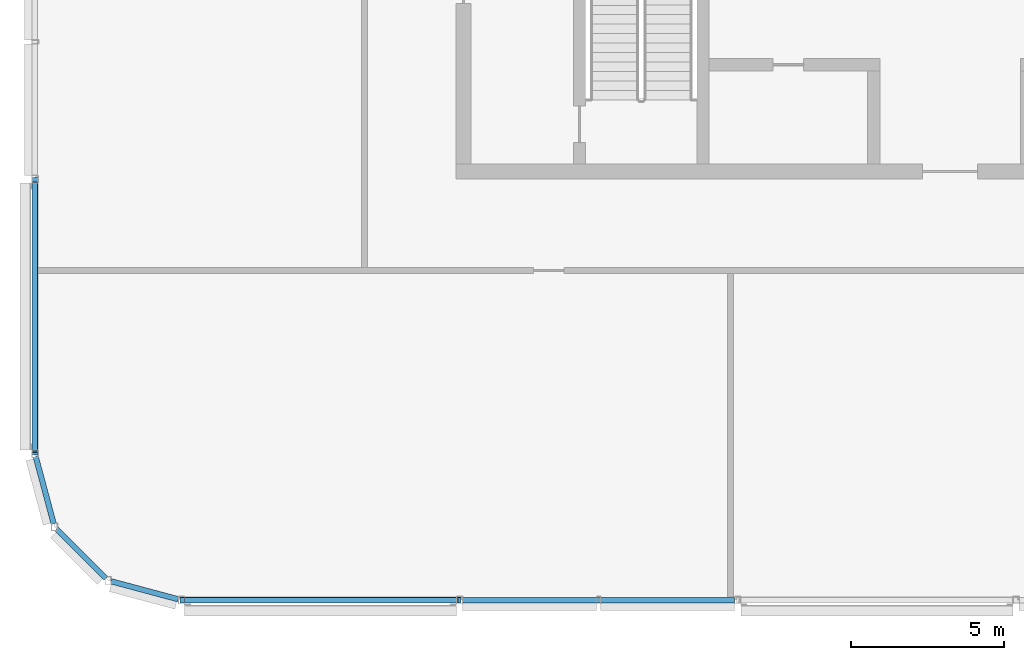
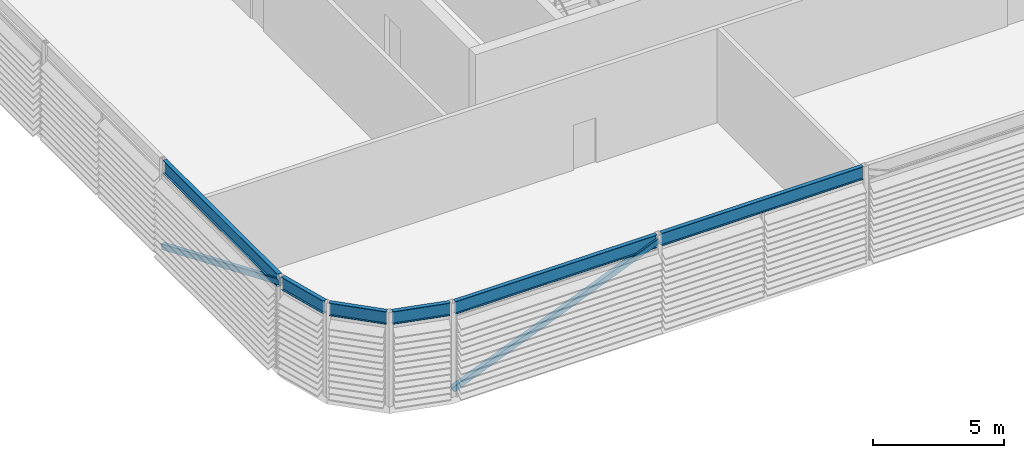
# One storey, part 5 of 27: 6 beams, 2 members.
"""IFC4 building model written with IfcOpenShell, lengths in metres."""

import ifcopenshell
import ifcopenshell.guid

model = None  # the IFC model being written
_history = None  # IfcOwnerHistory: only IFC2X3 demands one
_inside = {}  # id of a spatial element -> (the spatial element, [elements in it])
_under = {}  # id of a project, library or spatial element -> (it, [spatial elements below it])
_declared = {}  # id of a project -> (the project, [libraries it declares])
_typed = {}  # id of a type object -> (the type object, [elements of that type])
_made_of = {}  # id of a material, layer set ... -> (it, [elements and type objects made of it])


def new_model(schema):
    """Start an empty IFC model of exactly this schema.

    Asked for "IFC4X3", IfcOpenShell would pick the latest addendum, in which some entities
    have other attributes; the version numbers below select the first issue.
    IFC2X3 requires an IfcOwnerHistory on every rooted entity: one is made here for all.
    """
    global model, _history
    if schema == "IFC4X3":
        model = ifcopenshell.file(schema_version=(4, 3, 0, 0))
    else:
        model = ifcopenshell.file(schema=schema)
    _inside.clear()
    _under.clear()
    _declared.clear()
    _typed.clear()
    _made_of.clear()
    _history = None
    if model.schema == "IFC2X3":
        org = make("IfcOrganization", Name="unknown")
        user = make(
            "IfcPersonAndOrganization",
            ThePerson=make("IfcPerson", FamilyName="unknown"),
            TheOrganization=org,
        )
        app = make(
            "IfcApplication",
            ApplicationDeveloper=org,
            Version="unknown",
            ApplicationFullName="unknown",
            ApplicationIdentifier="unknown",
        )
        _history = make(
            "IfcOwnerHistory",
            OwningUser=user,
            OwningApplication=app,
            ChangeAction="ADDED",
            CreationDate=0,
        )
    return model


def make(cls, **values):
    """One entity of the class cls with the attributes given. An attribute that is None is left unset."""
    return model.create_entity(
        cls, **{name: value for name, value in values.items() if value is not None}
    )


def rooted(cls, **values):
    """An entity with a GlobalId (a new one), such as an element, a storey or a relation."""
    return make(cls, GlobalId=ifcopenshell.guid.new(), OwnerHistory=_history, **values)


def si_unit(unit_type, name, prefix=None):
    """IfcSIUnit, for example si_unit("LENGTHUNIT", "METRE", prefix="MILLI")."""
    return make("IfcSIUnit", UnitType=unit_type, Prefix=prefix, Name=name)


def assignment(units):
    """IfcUnitAssignment: the units of a project."""
    return None if units is None else make("IfcUnitAssignment", Units=units)


def point(xyz):
    """IfcCartesianPoint."""
    return None if xyz is None else make("IfcCartesianPoint", Coordinates=xyz)


def direction(xyz):
    """IfcDirection."""
    return None if xyz is None else make("IfcDirection", DirectionRatios=xyz)


def frame(location, z_axis=None, x_axis=None):
    """IfcAxis2Placement3D, a coordinate frame: its origin and axes. An axis left out is left unset."""
    return make(
        "IfcAxis2Placement3D",
        Location=point(location),
        Axis=direction(z_axis),
        RefDirection=direction(x_axis),
    )


def frame_2d(location, x_axis=None):
    """IfcAxis2Placement2D, a coordinate frame in the plane: its origin and x axis."""
    return make(
        "IfcAxis2Placement2D", Location=point(location), RefDirection=direction(x_axis)
    )


def origin():
    """The frame at (0, 0, 0) with its axes left unset."""
    return frame((0.0, 0.0, 0.0))


def origin_2d():
    """The frame at (0, 0) in the plane with its x axis left unset."""
    return frame_2d((0.0, 0.0))


def place(relative_to, where):
    """IfcLocalPlacement: puts the frame where relative to a parent placement (None: the world)."""
    return make(
        "IfcLocalPlacement", PlacementRelTo=relative_to, RelativePlacement=where
    )


def context(
    kind, dimensions, precision=None, world=None, true_north=None, identifier=None
):
    """IfcGeometricRepresentationContext, for example the 3D "Model" context."""
    return make(
        "IfcGeometricRepresentationContext",
        ContextIdentifier=identifier,
        ContextType=kind,
        CoordinateSpaceDimension=dimensions,
        Precision=precision,
        WorldCoordinateSystem=world,
        TrueNorth=true_north,
    )


def subcontext(parent, identifier, kind, view, scale=None):
    """IfcGeometricRepresentationSubContext, for example "Body" below "Model"."""
    return make(
        "IfcGeometricRepresentationSubContext",
        ContextIdentifier=identifier,
        ContextType=kind,
        ParentContext=parent,
        TargetScale=scale,
        TargetView=view,
    )


def project(units=None, contexts=None):
    """IfcProject with its units and contexts."""
    return rooted(
        "IfcProject",
        Name="project",
        RepresentationContexts=contexts,
        UnitsInContext=assignment(units),
    )


def spatial(cls, under=None, at=None, **own):
    """A site, building, storey or space (cls), placed at a placement, below another one or the project."""
    s = rooted(cls, ObjectPlacement=at, **own)
    if under is not None:
        _under.setdefault(under.id(), (under, []))[1].append(s)
    return s


def profile(cls, at=None, kind="AREA", **sizes):
    """A parametric profile (cls). Its sizes go by their IFC names, for example OverallWidth=200.0."""
    return make(cls, ProfileType=kind, Position=at, **sizes)


def hollow_rectangle(**sizes):
    """IfcRectangleHollowProfileDef."""
    return profile("IfcRectangleHollowProfileDef", **sizes)


def i_section(**sizes):
    """IfcIShapeProfileDef."""
    return profile("IfcIShapeProfileDef", **sizes)


def extrude(swept, where, along, depth):
    """IfcExtrudedAreaSolid: the profile swept, set in the frame where, extruded along a direction by depth."""
    return make(
        "IfcExtrudedAreaSolid",
        SweptArea=swept,
        Position=where,
        ExtrudedDirection=direction(along),
        Depth=depth,
    )


def shape(context_of_items, identifier, shape_type, items):
    """IfcShapeRepresentation: the items that make up one representation, for example the "Body"."""
    return make(
        "IfcShapeRepresentation",
        ContextOfItems=context_of_items,
        RepresentationIdentifier=identifier,
        RepresentationType=shape_type,
        Items=items,
    )


def material(Name=None, Category=None):
    """IfcMaterial."""
    return make("IfcMaterial", Name=Name, Category=Category)


def material_profile(
    of_material, cross_section, Name=None, Category=None, Priority=None
):
    """IfcMaterialProfile: a cross section and its material."""
    return make(
        "IfcMaterialProfile",
        Name=Name,
        Material=of_material,
        Profile=cross_section,
        Priority=Priority,
        Category=Category,
    )


def profile_set(profiles, Name=None, composite=None):
    """IfcMaterialProfileSet."""
    return make(
        "IfcMaterialProfileSet",
        Name=Name,
        MaterialProfiles=profiles,
        CompositeProfile=composite,
    )


def made_of(thing, what):
    """Note that an element or type object is made of a material, layer set ...; save() writes the relation."""
    if what is not None:
        _made_of.setdefault(what.id(), (what, []))[1].append(thing)
    return thing


def type_object(cls, material=None, **own):
    """A type object (cls), such as IfcWallType, which elements share."""
    return made_of(rooted(cls, **own), material)


def element(
    cls,
    number,
    at=None,
    inside=None,
    cuts=None,
    type_object=None,
    material=None,
    context=None,
    identifier="Body",
    shape_type=None,
    held_by="IfcProductDefinitionShape",
    body=None,
    shapes=None,
    **own,
):
    """One element of the class cls, such as IfcWall. Its Tag is "e" and its number.

    at: its placement. inside: the storey or other place that contains it. cuts: it is an
    opening in that element (IfcRelVoidsElement). A single representation is given by context,
    identifier, shape_type and body (its items); several are given by shapes. held_by: the class
    of the entity that holds the representations. save() writes the other relations.
    """
    e = rooted(cls, Tag="e%d" % number, ObjectPlacement=at, **own)
    if body is not None:
        shapes = [shape(context, identifier, shape_type, body)]
    if shapes is not None:
        e.Representation = make(held_by, Representations=shapes)
    if inside is not None:
        _inside.setdefault(inside.id(), (inside, []))[1].append(e)
    if cuts is not None:
        rooted(
            "IfcRelVoidsElement", RelatingBuildingElement=cuts, RelatedOpeningElement=e
        )
    if type_object is not None:
        _typed.setdefault(type_object.id(), (type_object, []))[1].append(e)
    return made_of(e, material)


def aggregate(whole, parts):
    """IfcRelAggregates: a whole, such as a stair, and the parts it consists of."""
    return rooted("IfcRelAggregates", RelatingObject=whole, RelatedObjects=parts)


def save(model, path):
    """Write the relations noted so far, then the file.

    IfcRelAggregates (storeys below a building ...), IfcRelContainedInSpatialStructure (elements
    in a storey), IfcRelDefinesByType, IfcRelAssociatesMaterial and IfcRelDeclares: one each for
    every whole, place, type object, material and project.
    """
    for whole, parts in _under.values():
        aggregate(whole, parts)
    for where, things in _inside.values():
        rooted(
            "IfcRelContainedInSpatialStructure",
            RelatedElements=things,
            RelatingStructure=where,
        )
    for kind, things in _typed.values():
        rooted("IfcRelDefinesByType", RelatedObjects=things, RelatingType=kind)
    for what, things in _made_of.values():
        rooted("IfcRelAssociatesMaterial", RelatedObjects=things, RelatingMaterial=what)
    for by, libraries in _declared.values():
        rooted("IfcRelDeclares", RelatingContext=by, RelatedDefinitions=libraries)
    model.write(path)


model = new_model("IFC4")

# Units and contexts
model_context = context("Model", 3, precision=1e-05, world=origin(), true_north=direction((0.0, 1.0)))
body_context = subcontext(model_context, "Body", "Model", "MODEL_VIEW")
ifc_project = project(units=[si_unit("LENGTHUNIT", "METRE"), si_unit("AREAUNIT", "SQUARE_METRE"), si_unit("VOLUMEUNIT", "CUBIC_METRE"), si_unit("PLANEANGLEUNIT", "RADIAN"), si_unit("MASSUNIT", "GRAM", prefix="KILO")], contexts=[model_context])

# Site, building, storey
site_placement = place(None, origin())
site = spatial("IfcSite", under=ifc_project, at=site_placement, CompositionType="ELEMENT")
building_placement = place(site_placement, origin())
building = spatial("IfcBuilding", under=site, at=building_placement, Name="Madar Terraces", CompositionType="ELEMENT")
storey_placement = place(building_placement, frame((0.0, 0.0, 301.10009765625)))
storey = spatial("IfcBuildingStorey", under=building, at=storey_placement, Name="L78", CompositionType="ELEMENT", Elevation=301.10009765625)

# Beams
ifc_material_1 = material(Name="Steel ASTM A992 Grade 50", Category="steel")
ifc_material_profile_1 = material_profile(ifc_material_1, i_section(OverallWidth=0.1787109375, OverallDepth=0.60205078125, WebThickness=0.010986328125, FlangeThickness=0.014892578125, at=origin_2d()), Name="W24x62")
ifc_profile_set_1 = profile_set([ifc_material_profile_1], Name="Steel ASTM A992 Grade 50")
beam_type = type_object("IfcBeamType", Name="CF2 W24x62", PredefinedType="BEAM", material=ifc_profile_set_1)
for number, where, z_axis, x_axis, name in (
    (1, (6.1015625, 1.199951171875, 4.098876953125), (1.0, 0.0, 0.0), (0.0, 1.0, 0.0), "Crown frame ring beam CF2"),
    (2, (15.2216796875, 1.199951171875, 4.098876953125), (1.0, 0.0, 0.0), (0.0, 1.0, 0.0), "Crown frame ring beam CF2"),
):
    element("IfcBeam", number, at=place(storey_placement, frame(where, z_axis=z_axis, x_axis=x_axis)), inside=storey, type_object=beam_type, Name=name, PredefinedType="BEAM", context=body_context, shape_type="SweptSolid", body=[
        extrude(i_section(OverallWidth=0.1787109375, OverallDepth=0.60205078125, WebThickness=0.010986328125, FlangeThickness=0.014892578125, at=origin_2d()), origin(), (0.0, 0.0, 1.0), 8.916748046875),
    ])
beam_1_placement = place(storey_placement, frame((1.199951171875, 14.8984375, 4.098876953125), z_axis=(0.0, -1.0, 0.0), x_axis=(1.0, 0.0, 0.0)))
element("IfcBeam", 3, at=beam_1_placement, inside=storey, type_object=beam_type, Name="Crown frame ring beam CF2", PredefinedType="BEAM", context=body_context, shape_type="SweptSolid", body=[
    extrude(i_section(OverallWidth=0.1787109375, OverallDepth=0.60205078125, WebThickness=0.010986328125, FlangeThickness=0.014892578125, at=origin_2d()), origin(), (0.0, 0.0, 1.0), 8.796875),
])
beam_2_placement = place(storey_placement, frame((1.226318359375, 5.90185546875, 4.098876953125), z_axis=(0.258868028067, -0.965912700012, 0.0), x_axis=(0.965912700012, 0.258868028067, 0.0)))
element("IfcBeam", 4, at=beam_2_placement, inside=storey, type_object=beam_type, Name="Crown frame ring beam CF2", PredefinedType="BEAM", context=body_context, shape_type="SweptSolid", body=[
    extrude(i_section(OverallWidth=0.1787109375, OverallDepth=0.60205078125, WebThickness=0.010986328125, FlangeThickness=0.014892578125, at=origin_2d()), origin(), (0.0, 0.0, 1.0), 2.281494140625),
])
beam_3_placement = place(storey_placement, frame((1.9150390625, 3.528076171875, 4.098876953125), z_axis=(0.707106781187, -0.707106781187, 0.0), x_axis=(0.707106781187, 0.707106781187, 0.0)))
element("IfcBeam", 5, at=beam_3_placement, inside=storey, type_object=beam_type, Name="Crown frame ring beam CF2", PredefinedType="BEAM", context=body_context, shape_type="SweptSolid", body=[
    extrude(i_section(OverallWidth=0.1787109375, OverallDepth=0.60205078125, WebThickness=0.010986328125, FlangeThickness=0.014892578125, at=origin_2d()), origin(), (0.0, 0.0, 1.0), 2.28125),
])
beam_4_placement = place(storey_placement, frame((3.6982421875, 1.81689453125, 4.098876953125), z_axis=(0.965912700012, -0.258868028067, 0.0), x_axis=(0.258868028067, 0.965912700012, 0.0)))
element("IfcBeam", 6, at=beam_4_placement, inside=storey, type_object=beam_type, Name="Crown frame ring beam CF2", PredefinedType="BEAM", context=body_context, shape_type="SweptSolid", body=[
    extrude(i_section(OverallWidth=0.1787109375, OverallDepth=0.60205078125, WebThickness=0.010986328125, FlangeThickness=0.014892578125, at=origin_2d()), origin(), (0.0, 0.0, 1.0), 2.281494140625),
])

# Members
ifc_material_2 = material(Name="Steel ASTM A500 Grade C", Category="steel")
ifc_material_profile_2 = material_profile(ifc_material_2, hollow_rectangle(XDim=0.203125, YDim=0.25390625, WallThickness=0.009521484375, InnerFilletRadius=0.00439453125, OuterFilletRadius=0.01318359375, at=origin_2d()), Name="HSS10x8x.375")
ifc_profile_set_2 = profile_set([ifc_material_profile_2], Name="Steel ASTM A500 Grade C")
member_type = type_object("IfcMemberType", Name="CF5 crown frame brace HSS10x8x.375", PredefinedType="BRACE", material=ifc_profile_set_2)
member_1_placement = place(storey_placement, frame((6.0, 1.199951171875, 0.2998046875), z_axis=(0.923112012079, 0.0, 0.384531160187), x_axis=(0.0, 1.0, 0.0)))
element("IfcMember", 7, at=member_1_placement, inside=storey, type_object=member_type, Name="Crown frame brace CF5", PredefinedType="BRACE", context=body_context, shape_type="SweptSolid", body=[
    extrude(hollow_rectangle(XDim=0.203125, YDim=0.25390625, WallThickness=0.009521484375, InnerFilletRadius=0.00439453125, OuterFilletRadius=0.01318359375, at=origin_2d()), origin(), (0.0, 0.0, 1.0), 9.879638671875),
])
member_2_placement = place(storey_placement, frame((1.199951171875, 15.0, 0.2998046875), z_axis=(0.0, -0.921283588528, 0.388891436661), x_axis=(1.0, 0.0, 0.0)))
element("IfcMember", 8, at=member_2_placement, inside=storey, type_object=member_type, Name="Crown frame brace CF5", PredefinedType="BRACE", context=body_context, shape_type="SweptSolid", body=[
    extrude(hollow_rectangle(XDim=0.203125, YDim=0.25390625, WallThickness=0.009521484375, InnerFilletRadius=0.00439453125, OuterFilletRadius=0.01318359375, at=origin_2d()), origin(), (0.0, 0.0, 1.0), 9.76904296875),
])

save(model, "model.ifc")
